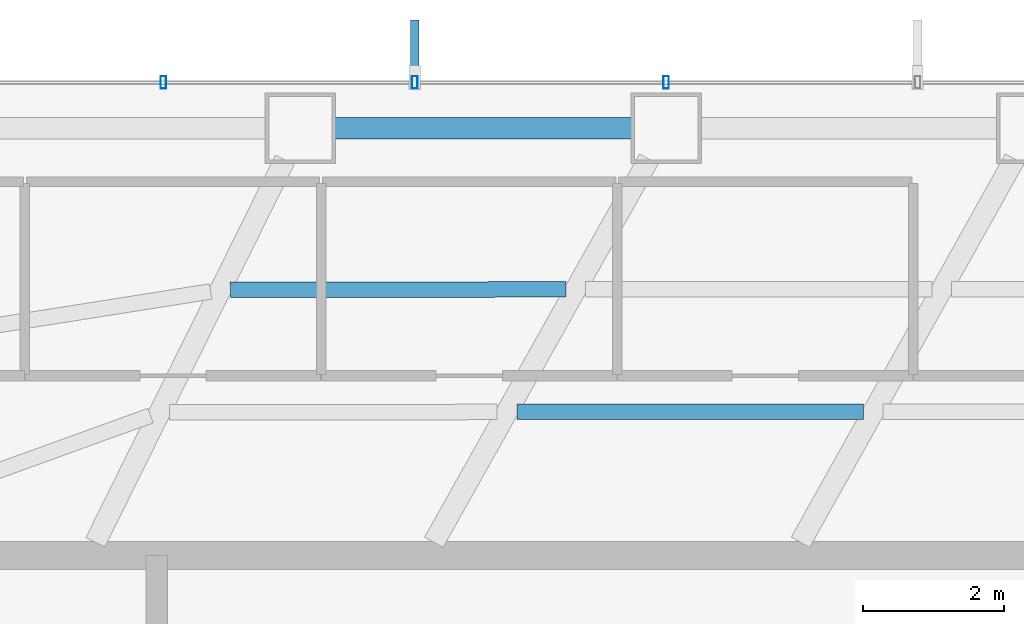
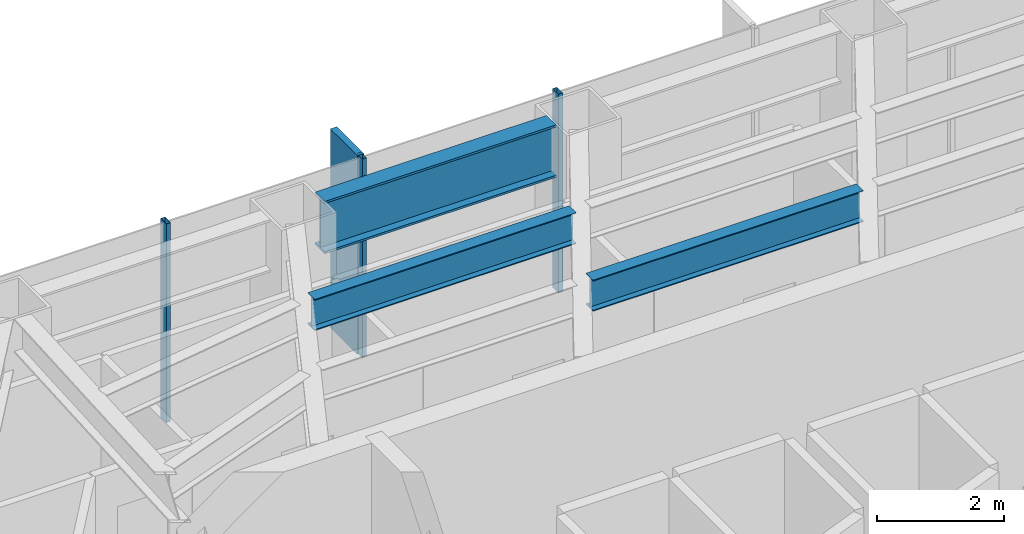
# One storey, part 14 of 26: 4 members, 3 beams, 1 element without a shape of its own.
"""IFC4 building model written with IfcOpenShell, lengths in metres."""

from ifc_helpers import new_model, si_unit, direction, frame, origin, origin_2d, place, context, subcontext, project, spatial, rectangle, hollow_rectangle, i_section, extrude, material, layer, layer_set, material_profile, profile_set, type_object, element, aggregate, save


model = new_model("IFC4")

# Units and contexts
model_context = context("Model", 3, precision=1e-05, world=origin(), true_north=direction((0.0, 1.0)))
body_context = subcontext(model_context, "Body", "Model", "MODEL_VIEW")
ifc_project = project(units=[si_unit("LENGTHUNIT", "METRE"), si_unit("AREAUNIT", "SQUARE_METRE"), si_unit("VOLUMEUNIT", "CUBIC_METRE"), si_unit("PLANEANGLEUNIT", "RADIAN"), si_unit("MASSUNIT", "GRAM", prefix="KILO")], contexts=[model_context])

# Site, building, storey
site_placement = place(None, origin())
site = spatial("IfcSite", under=ifc_project, at=site_placement, CompositionType="ELEMENT")
building_placement = place(site_placement, origin())
building = spatial("IfcBuilding", under=site, at=building_placement, Name="Zarrinselat Tower", CompositionType="ELEMENT")
storey_placement = place(building_placement, frame((0.0, 0.0, 27.5400390625)))
storey = spatial("IfcBuildingStorey", under=building, at=storey_placement, Name="L06", CompositionType="ELEMENT", Elevation=27.5400390625)

# Beams
ifc_material_1 = material(Name="Steel S460M", Category="steel")
ifc_material_profile_1 = material_profile(ifc_material_1, i_section(OverallWidth=0.302001953125, OverallDepth=1.008056640625, WebThickness=0.02099609375, FlangeThickness=0.0400390625, at=origin_2d()), Name="HEM 1000")
ifc_profile_set_1 = profile_set([ifc_material_profile_1], Name="Steel S460M")
beam_type_1 = type_object("IfcBeamType", Name="BM-HEM1000", PredefinedType="BEAM", material=ifc_profile_set_1)
beam_1_placement = place(storey_placement, frame((34.396484375, 49.510986328125, 3.31591796875), z_axis=(1.0, 0.0, 0.0), x_axis=(0.0, 1.0, 0.0)))
element("IfcBeam", 1, at=beam_1_placement, inside=storey, type_object=beam_type_1, Name="L06 Perimeter Spandrel Girder SP03", PredefinedType="BEAM", context=body_context, shape_type="SweptSolid", body=[
    extrude(i_section(OverallWidth=0.302001953125, OverallDepth=1.008056640625, WebThickness=0.02099609375, FlangeThickness=0.0400390625, at=origin_2d()), origin(), (0.0, 0.0, 1.0), 4.2099609375),
])
ifc_material_2 = material(Name="Steel S355J2", Category="steel")
ifc_material_profile_2 = material_profile(ifc_material_2, i_section(OverallWidth=0.219970703125, OverallDepth=0.60009765625, WebThickness=0.011962890625, FlangeThickness=0.01904296875, at=origin_2d()), Name="IPE 600")
ifc_profile_set_2 = profile_set([ifc_material_profile_2], Name="Steel S355J2")
beam_type_2 = type_object("IfcBeamType", Name="BM-IPE600", PredefinedType="JOIST", material=ifc_profile_set_2)
beam_2_placement = place(storey_placement, frame((36.9765625, 45.4873046875, 3.52001953125), z_axis=(1.0, 0.0, 0.0), x_axis=(0.0, 1.0, 0.0)))
element("IfcBeam", 2, at=beam_2_placement, inside=storey, type_object=beam_type_2, Name="L06 Composite Floor Joist 9-2", PredefinedType="JOIST", context=body_context, shape_type="SweptSolid", body=[
    extrude(i_section(OverallWidth=0.219970703125, OverallDepth=0.60009765625, WebThickness=0.011962890625, FlangeThickness=0.01904296875, at=origin_2d()), origin(), (0.0, 0.0, 1.0), 4.91552734375),
])
beam_3_placement = place(storey_placement, frame((32.91259765625, 47.21826171875, 3.52001953125), z_axis=(0.999998735712, 0.00159014931, 0.0), x_axis=(-0.00159014931, 0.999998735712, 0.0)))
element("IfcBeam", 3, at=beam_3_placement, inside=storey, type_object=beam_type_2, Name="L06 Composite Floor Joist 10-1", PredefinedType="JOIST", context=body_context, shape_type="SweptSolid", body=[
    extrude(i_section(OverallWidth=0.219970703125, OverallDepth=0.60009765625, WebThickness=0.011962890625, FlangeThickness=0.01904296875, at=origin_2d()), origin(), (0.0, 0.0, 1.0), 4.759521484375),
])

# Curtain wall, members
ifc_material_3 = material(Name="Extruded Aluminium Alloy EN AW-6063 T6", Category="aluminium")
ifc_layer = layer(ifc_material_3, 0.18505859375)
ifc_layer_set = layer_set([ifc_layer], Name="Extruded Aluminium Alloy EN AW-6063 T6")
curtain_wall_type = type_object("IfcCurtainWallType", Name="CWS-OFF", PredefinedType="NOTDEFINED", material=ifc_layer_set)
curtain_wall_placement = place(storey_placement, origin())
curtain_wall = element("IfcCurtainWall", 4, at=curtain_wall_placement, inside=storey, type_object=curtain_wall_type, Name="L06 Unitised Curtain Wall CW-L06-E01", PredefinedType="NOTDEFINED")
ifc_material_4 = material(Name="Extruded Aluminium Alloy EN AW-6063 T6", Category="aluminium")
ifc_material_profile_3 = material_profile(ifc_material_4, hollow_rectangle(XDim=0.080078125, YDim=0.179931640625, WallThickness=0.0048828125, at=origin_2d()), Name="RHS 180x80x5")
ifc_profile_set_3 = profile_set([ifc_material_profile_3], Name="Extruded Aluminium Alloy EN AW-6063 T6")
member_type_1 = type_object("IfcMemberType", Name="MEM-CW-MUL", PredefinedType="MULLION", material=ifc_profile_set_3)
member_1_placement = place(storey_placement, frame((39.094482421875, 50.1611328125, 0.0), z_axis=(0.0, 0.0, 1.0), x_axis=(-1.0, 0.0, 0.0)))
member_1 = element("IfcMember", 5, at=member_1_placement, type_object=member_type_1, Name="CW-L06-E01 Mullion 4", PredefinedType="MULLION", context=body_context, shape_type="SweptSolid", body=[
    extrude(hollow_rectangle(XDim=0.080078125, YDim=0.179931640625, WallThickness=0.0048828125, at=origin_2d()), origin(), (0.0, 0.0, 1.0), 3.820068359375),
])
member_2_placement = place(storey_placement, frame((35.529296875, 50.1611328125, 0.0), z_axis=(0.0, 0.0, 1.0), x_axis=(-1.0, 0.0, 0.0)))
member_2 = element("IfcMember", 6, at=member_2_placement, type_object=member_type_1, Name="CW-L06-E01 Mullion 5", PredefinedType="MULLION", context=body_context, shape_type="SweptSolid", body=[
    extrude(hollow_rectangle(XDim=0.080078125, YDim=0.179931640625, WallThickness=0.0048828125, at=origin_2d()), origin(), (0.0, 0.0, 1.0), 3.820068359375),
])
member_3_placement = place(storey_placement, frame((31.96435546875, 50.1611328125, 0.0), z_axis=(0.0, 0.0, 1.0), x_axis=(-1.0, 0.0, 0.0)))
member_3 = element("IfcMember", 7, at=member_3_placement, type_object=member_type_1, Name="CW-L06-E01 Mullion 6", PredefinedType="MULLION", context=body_context, shape_type="SweptSolid", body=[
    extrude(hollow_rectangle(XDim=0.080078125, YDim=0.179931640625, WallThickness=0.0048828125, at=origin_2d()), origin(), (0.0, 0.0, 1.0), 3.820068359375),
])
ifc_material_5 = material(Name="Honed Cream Travertine Stone", Category="masonry")
ifc_material_profile_4 = material_profile(ifc_material_5, rectangle(XDim=0.1201171875, YDim=0.85009765625, at=origin_2d()), Name="FIN 850x120")
ifc_profile_set_4 = profile_set([ifc_material_profile_4], Name="Honed Cream Travertine Stone")
member_type_2 = type_object("IfcMemberType", Name="MEM-STONE-FIN", PredefinedType="USERDEFINED", material=ifc_profile_set_4)
member_4_placement = place(storey_placement, frame((35.529296875, 50.62109375, 0.0), z_axis=(0.0, 0.0, 1.0), x_axis=(1.0, 0.0, 0.0)))
member_4 = element("IfcMember", 8, at=member_4_placement, type_object=member_type_2, Name="L06 Stone Shading Fin CW-L06-E01-05", ObjectType="FIN", PredefinedType="USERDEFINED", context=body_context, shape_type="SweptSolid", body=[
    extrude(rectangle(XDim=0.1201171875, YDim=0.85009765625, at=origin_2d()), origin(), (0.0, 0.0, 1.0), 3.820068359375),
])
aggregate(curtain_wall, [member_1, member_2, member_4, member_3])

save(model, "model.ifc")
